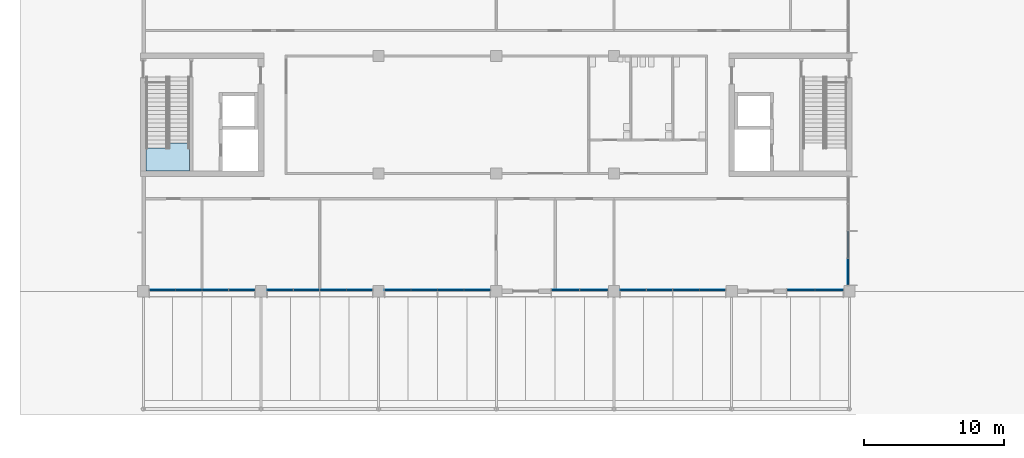
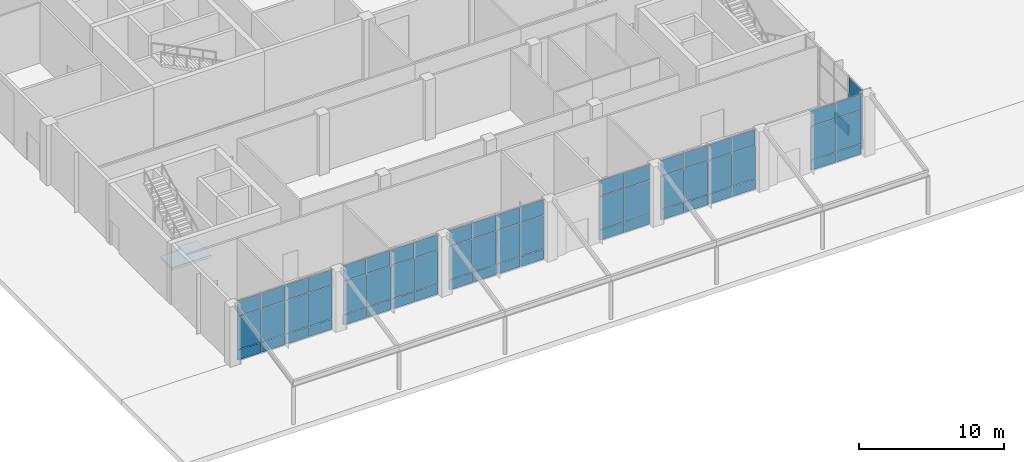
# One storey, part 25 of 76: 64 plates, 1 slab, 8 elements without a shape of their own.
"""IFC4 building model written with IfcOpenShell, lengths in metres."""

import ifcopenshell
import ifcopenshell.guid

model = None  # the IFC model being written
_history = None  # IfcOwnerHistory: only IFC2X3 demands one
_inside = {}  # id of a spatial element -> (the spatial element, [elements in it])
_under = {}  # id of a project, library or spatial element -> (it, [spatial elements below it])
_declared = {}  # id of a project -> (the project, [libraries it declares])
_typed = {}  # id of a type object -> (the type object, [elements of that type])
_made_of = {}  # id of a material, layer set ... -> (it, [elements and type objects made of it])


def new_model(schema):
    """Start an empty IFC model of exactly this schema.

    Asked for "IFC4X3", IfcOpenShell would pick the latest addendum, in which some entities
    have other attributes; the version numbers below select the first issue.
    IFC2X3 requires an IfcOwnerHistory on every rooted entity: one is made here for all.
    """
    global model, _history
    if schema == "IFC4X3":
        model = ifcopenshell.file(schema_version=(4, 3, 0, 0))
    else:
        model = ifcopenshell.file(schema=schema)
    _inside.clear()
    _under.clear()
    _declared.clear()
    _typed.clear()
    _made_of.clear()
    _history = None
    if model.schema == "IFC2X3":
        org = make("IfcOrganization", Name="unknown")
        user = make(
            "IfcPersonAndOrganization",
            ThePerson=make("IfcPerson", FamilyName="unknown"),
            TheOrganization=org,
        )
        app = make(
            "IfcApplication",
            ApplicationDeveloper=org,
            Version="unknown",
            ApplicationFullName="unknown",
            ApplicationIdentifier="unknown",
        )
        _history = make(
            "IfcOwnerHistory",
            OwningUser=user,
            OwningApplication=app,
            ChangeAction="ADDED",
            CreationDate=0,
        )
    return model


def make(cls, **values):
    """One entity of the class cls with the attributes given. An attribute that is None is left unset."""
    return model.create_entity(
        cls, **{name: value for name, value in values.items() if value is not None}
    )


def rooted(cls, **values):
    """An entity with a GlobalId (a new one), such as an element, a storey or a relation."""
    return make(cls, GlobalId=ifcopenshell.guid.new(), OwnerHistory=_history, **values)


def si_unit(unit_type, name, prefix=None):
    """IfcSIUnit, for example si_unit("LENGTHUNIT", "METRE", prefix="MILLI")."""
    return make("IfcSIUnit", UnitType=unit_type, Prefix=prefix, Name=name)


def assignment(units):
    """IfcUnitAssignment: the units of a project."""
    return None if units is None else make("IfcUnitAssignment", Units=units)


def point(xyz):
    """IfcCartesianPoint."""
    return None if xyz is None else make("IfcCartesianPoint", Coordinates=xyz)


def direction(xyz):
    """IfcDirection."""
    return None if xyz is None else make("IfcDirection", DirectionRatios=xyz)


def frame(location, z_axis=None, x_axis=None):
    """IfcAxis2Placement3D, a coordinate frame: its origin and axes. An axis left out is left unset."""
    return make(
        "IfcAxis2Placement3D",
        Location=point(location),
        Axis=direction(z_axis),
        RefDirection=direction(x_axis),
    )


def frame_2d(location, x_axis=None):
    """IfcAxis2Placement2D, a coordinate frame in the plane: its origin and x axis."""
    return make(
        "IfcAxis2Placement2D", Location=point(location), RefDirection=direction(x_axis)
    )


def origin():
    """The frame at (0, 0, 0) with its axes left unset."""
    return frame((0.0, 0.0, 0.0))


def origin_2d():
    """The frame at (0, 0) in the plane with its x axis left unset."""
    return frame_2d((0.0, 0.0))


def place(relative_to, where):
    """IfcLocalPlacement: puts the frame where relative to a parent placement (None: the world)."""
    return make(
        "IfcLocalPlacement", PlacementRelTo=relative_to, RelativePlacement=where
    )


def context(
    kind, dimensions, precision=None, world=None, true_north=None, identifier=None
):
    """IfcGeometricRepresentationContext, for example the 3D "Model" context."""
    return make(
        "IfcGeometricRepresentationContext",
        ContextIdentifier=identifier,
        ContextType=kind,
        CoordinateSpaceDimension=dimensions,
        Precision=precision,
        WorldCoordinateSystem=world,
        TrueNorth=true_north,
    )


def subcontext(parent, identifier, kind, view, scale=None):
    """IfcGeometricRepresentationSubContext, for example "Body" below "Model"."""
    return make(
        "IfcGeometricRepresentationSubContext",
        ContextIdentifier=identifier,
        ContextType=kind,
        ParentContext=parent,
        TargetScale=scale,
        TargetView=view,
    )


def project(units=None, contexts=None):
    """IfcProject with its units and contexts."""
    return rooted(
        "IfcProject",
        Name="project",
        RepresentationContexts=contexts,
        UnitsInContext=assignment(units),
    )


def spatial(cls, under=None, at=None, **own):
    """A site, building, storey or space (cls), placed at a placement, below another one or the project."""
    s = rooted(cls, ObjectPlacement=at, **own)
    if under is not None:
        _under.setdefault(under.id(), (under, []))[1].append(s)
    return s


def polyline(points):
    """IfcPolyline through the points."""
    return make("IfcPolyline", Points=[point(p) for p in points])


def profile(cls, at=None, kind="AREA", **sizes):
    """A parametric profile (cls). Its sizes go by their IFC names, for example OverallWidth=200.0."""
    return make(cls, ProfileType=kind, Position=at, **sizes)


def rectangle(**sizes):
    """IfcRectangleProfileDef."""
    return profile("IfcRectangleProfileDef", **sizes)


def outline(outer, holes=None, kind="AREA"):
    """IfcArbitraryClosedProfileDef: a profile drawn as a closed curve; with holes, ...WithVoids."""
    if holes is None:
        return make("IfcArbitraryClosedProfileDef", ProfileType=kind, OuterCurve=outer)
    return make(
        "IfcArbitraryProfileDefWithVoids",
        ProfileType=kind,
        OuterCurve=outer,
        InnerCurves=holes,
    )


def extrude(swept, where, along, depth):
    """IfcExtrudedAreaSolid: the profile swept, set in the frame where, extruded along a direction by depth."""
    return make(
        "IfcExtrudedAreaSolid",
        SweptArea=swept,
        Position=where,
        ExtrudedDirection=direction(along),
        Depth=depth,
    )


def shape(context_of_items, identifier, shape_type, items):
    """IfcShapeRepresentation: the items that make up one representation, for example the "Body"."""
    return make(
        "IfcShapeRepresentation",
        ContextOfItems=context_of_items,
        RepresentationIdentifier=identifier,
        RepresentationType=shape_type,
        Items=items,
    )


def material(Name=None, Category=None):
    """IfcMaterial."""
    return make("IfcMaterial", Name=Name, Category=Category)


def layer(
    of_material, thickness, ventilated=None, Name=None, Category=None, Priority=None
):
    """IfcMaterialLayer: one layer of a wall or slab, of a material (None: an air gap)."""
    return make(
        "IfcMaterialLayer",
        Material=of_material,
        LayerThickness=thickness,
        IsVentilated=ventilated,
        Name=Name,
        Category=Category,
        Priority=Priority,
    )


def layer_set(layers, Name=None):
    """IfcMaterialLayerSet."""
    return make("IfcMaterialLayerSet", MaterialLayers=layers, LayerSetName=Name)


def made_of(thing, what):
    """Note that an element or type object is made of a material, layer set ...; save() writes the relation."""
    if what is not None:
        _made_of.setdefault(what.id(), (what, []))[1].append(thing)
    return thing


def type_object(cls, material=None, **own):
    """A type object (cls), such as IfcWallType, which elements share."""
    return made_of(rooted(cls, **own), material)


def element(
    cls,
    number,
    at=None,
    inside=None,
    cuts=None,
    type_object=None,
    material=None,
    context=None,
    identifier="Body",
    shape_type=None,
    held_by="IfcProductDefinitionShape",
    body=None,
    shapes=None,
    **own,
):
    """One element of the class cls, such as IfcWall. Its Tag is "e" and its number.

    at: its placement. inside: the storey or other place that contains it. cuts: it is an
    opening in that element (IfcRelVoidsElement). A single representation is given by context,
    identifier, shape_type and body (its items); several are given by shapes. held_by: the class
    of the entity that holds the representations. save() writes the other relations.
    """
    e = rooted(cls, Tag="e%d" % number, ObjectPlacement=at, **own)
    if body is not None:
        shapes = [shape(context, identifier, shape_type, body)]
    if shapes is not None:
        e.Representation = make(held_by, Representations=shapes)
    if inside is not None:
        _inside.setdefault(inside.id(), (inside, []))[1].append(e)
    if cuts is not None:
        rooted(
            "IfcRelVoidsElement", RelatingBuildingElement=cuts, RelatedOpeningElement=e
        )
    if type_object is not None:
        _typed.setdefault(type_object.id(), (type_object, []))[1].append(e)
    return made_of(e, material)


def aggregate(whole, parts):
    """IfcRelAggregates: a whole, such as a stair, and the parts it consists of."""
    return rooted("IfcRelAggregates", RelatingObject=whole, RelatedObjects=parts)


def save(model, path):
    """Write the relations noted so far, then the file.

    IfcRelAggregates (storeys below a building ...), IfcRelContainedInSpatialStructure (elements
    in a storey), IfcRelDefinesByType, IfcRelAssociatesMaterial and IfcRelDeclares: one each for
    every whole, place, type object, material and project.
    """
    for whole, parts in _under.values():
        aggregate(whole, parts)
    for where, things in _inside.values():
        rooted(
            "IfcRelContainedInSpatialStructure",
            RelatedElements=things,
            RelatingStructure=where,
        )
    for kind, things in _typed.values():
        rooted("IfcRelDefinesByType", RelatedObjects=things, RelatingType=kind)
    for what, things in _made_of.values():
        rooted("IfcRelAssociatesMaterial", RelatedObjects=things, RelatingMaterial=what)
    for by, libraries in _declared.values():
        rooted("IfcRelDeclares", RelatingContext=by, RelatedDefinitions=libraries)
    model.write(path)


model = new_model("IFC4")

# Units and contexts
model_context = context("Model", 3, precision=1e-05, world=origin(), true_north=direction((0.0, 1.0)))
body_context = subcontext(model_context, "Body", "Model", "MODEL_VIEW")
ifc_project = project(units=[si_unit("LENGTHUNIT", "METRE"), si_unit("AREAUNIT", "SQUARE_METRE"), si_unit("VOLUMEUNIT", "CUBIC_METRE"), si_unit("PLANEANGLEUNIT", "RADIAN"), si_unit("MASSUNIT", "GRAM", prefix="KILO")], contexts=[model_context])

# Site, building, storey
site_placement = place(None, origin())
site = spatial("IfcSite", under=ifc_project, at=site_placement, CompositionType="ELEMENT")
building_placement = place(site_placement, origin())
building = spatial("IfcBuilding", under=site, at=building_placement, Name="Hlaing Beacon Police Headquarters", CompositionType="ELEMENT")
storey_placement = place(building_placement, origin())
storey = spatial("IfcBuildingStorey", under=building, at=storey_placement, Name="L00", CompositionType="ELEMENT", Elevation=0.0)

# Curtain wall, plates
ifc_material_1 = material(Name="Aluminium frame with solar control glazing", Category="aluminium")
curtain_wall_type_1 = type_object("IfcCurtainWallType", Name="Shopfront glazing 7.80 x 5.05", PredefinedType="NOTDEFINED", material=ifc_material_1)
curtain_wall_1_placement = place(storey_placement, origin())
curtain_wall_1 = element("IfcCurtainWall", 1, at=curtain_wall_1_placement, inside=storey, type_object=curtain_wall_type_1, Name="ENV-CW-L00-E001", PredefinedType="NOTDEFINED")
ifc_material_2 = material(Name="Ballistic-rated insulated aluminium spandrel", Category="aluminium")
ifc_layer_1 = layer(ifc_material_2, 0.1201171875)
ifc_layer_set_1 = layer_set([ifc_layer_1], Name="Ballistic-rated insulated aluminium spandrel")
plate_type_1 = type_object("IfcPlateType", Name="Ballistic-rated spandrel panel 120", PredefinedType="CURTAIN_PANEL", material=ifc_layer_set_1)
plate_1_placement = place(storey_placement, frame((58.7099609375, 9.78759765625, 0.0498046875), z_axis=(0.0, 0.0, 1.0), x_axis=(0.0, 1.0, 0.0)))
plate_1 = element("IfcPlate", 2, at=plate_1_placement, type_object=plate_type_1, Name="CW-L00-E001 panel 1.1", PredefinedType="CURTAIN_PANEL", context=body_context, shape_type="SweptSolid", body=[
    extrude(rectangle(XDim=1.875, YDim=0.1201171875, at=origin_2d()), origin(), (0.0, 0.0, 1.0), 0.824951171875),
])
plate_2_placement = place(storey_placement, frame((58.7099609375, 11.72509765625, 0.0498046875), z_axis=(0.0, 0.0, 1.0), x_axis=(0.0, 1.0, 0.0)))
plate_2 = element("IfcPlate", 3, at=plate_2_placement, type_object=plate_type_1, Name="CW-L00-E001 panel 2.1", PredefinedType="CURTAIN_PANEL", context=body_context, shape_type="SweptSolid", body=[
    extrude(rectangle(XDim=1.89990234375, YDim=0.1201171875, at=origin_2d()), origin(), (0.0, 0.0, 1.0), 0.824951171875),
])

ifc_material_3 = material(Name="Aluminium frame with solar control glazing", Category="aluminium")
curtain_wall_type_2 = type_object("IfcCurtainWallType", Name="Shopfront glazing 7.60 x 5.05", PredefinedType="NOTDEFINED", material=ifc_material_3)
curtain_wall_2_placement = place(storey_placement, origin())
curtain_wall_2 = element("IfcCurtainWall", 4, at=curtain_wall_2_placement, inside=storey, type_object=curtain_wall_type_2, Name="ENV-CW-L00-S003", PredefinedType="NOTDEFINED")
plate_3_placement = place(storey_placement, frame((9.762451171875, 8.489990234375, 0.0498046875), z_axis=(0.0, 0.0, 1.0), x_axis=(1.0, 0.0, 0.0)))
plate_3 = element("IfcPlate", 5, at=plate_3_placement, type_object=plate_type_1, Name="CW-L00-S003 panel 1.1", PredefinedType="CURTAIN_PANEL", context=body_context, shape_type="SweptSolid", body=[
    extrude(rectangle(XDim=1.824951171875, YDim=0.1201171875, at=origin_2d()), origin(), (0.0, 0.0, 1.0), 0.824951171875),
])
plate_4_placement = place(storey_placement, frame((11.64990234375, 8.489990234375, 0.0498046875), z_axis=(0.0, 0.0, 1.0), x_axis=(1.0, 0.0, 0.0)))
plate_4 = element("IfcPlate", 6, at=plate_4_placement, type_object=plate_type_1, Name="CW-L00-S003 panel 2.1", PredefinedType="CURTAIN_PANEL", context=body_context, shape_type="SweptSolid", body=[
    extrude(rectangle(XDim=1.85009765625, YDim=0.1201171875, at=origin_2d()), origin(), (0.0, 0.0, 1.0), 0.824951171875),
])
plate_5_placement = place(storey_placement, frame((13.550048828125, 8.489990234375, 0.0498046875), z_axis=(0.0, 0.0, 1.0), x_axis=(1.0, 0.0, 0.0)))
plate_5 = element("IfcPlate", 7, at=plate_5_placement, type_object=plate_type_1, Name="CW-L00-S003 panel 3.1", PredefinedType="CURTAIN_PANEL", context=body_context, shape_type="SweptSolid", body=[
    extrude(rectangle(XDim=1.85009765625, YDim=0.1201171875, at=origin_2d()), origin(), (0.0, 0.0, 1.0), 0.824951171875),
])
plate_6_placement = place(storey_placement, frame((15.4375, 8.489990234375, 0.0498046875), z_axis=(0.0, 0.0, 1.0), x_axis=(1.0, 0.0, 0.0)))
plate_6 = element("IfcPlate", 8, at=plate_6_placement, type_object=plate_type_1, Name="CW-L00-S003 panel 4.1", PredefinedType="CURTAIN_PANEL", context=body_context, shape_type="SweptSolid", body=[
    extrude(rectangle(XDim=1.824951171875, YDim=0.1201171875, at=origin_2d()), origin(), (0.0, 0.0, 1.0), 0.824951171875),
])

curtain_wall_3_placement = place(storey_placement, origin())
curtain_wall_3 = element("IfcCurtainWall", 9, at=curtain_wall_3_placement, inside=storey, type_object=curtain_wall_type_2, Name="ENV-CW-L00-S004", PredefinedType="NOTDEFINED")
plate_7_placement = place(storey_placement, frame((18.16259765625, 8.489990234375, 0.0498046875), z_axis=(0.0, 0.0, 1.0), x_axis=(1.0, 0.0, 0.0)))
plate_7 = element("IfcPlate", 10, at=plate_7_placement, type_object=plate_type_1, Name="CW-L00-S004 panel 1.1", PredefinedType="CURTAIN_PANEL", context=body_context, shape_type="SweptSolid", body=[
    extrude(rectangle(XDim=1.824951171875, YDim=0.1201171875, at=origin_2d()), origin(), (0.0, 0.0, 1.0), 0.824951171875),
])
plate_8_placement = place(storey_placement, frame((20.050048828125, 8.489990234375, 0.0498046875), z_axis=(0.0, 0.0, 1.0), x_axis=(1.0, 0.0, 0.0)))
plate_8 = element("IfcPlate", 11, at=plate_8_placement, type_object=plate_type_1, Name="CW-L00-S004 panel 2.1", PredefinedType="CURTAIN_PANEL", context=body_context, shape_type="SweptSolid", body=[
    extrude(rectangle(XDim=1.85009765625, YDim=0.1201171875, at=origin_2d()), origin(), (0.0, 0.0, 1.0), 0.824951171875),
])
plate_9_placement = place(storey_placement, frame((21.949951171875, 8.489990234375, 0.0498046875), z_axis=(0.0, 0.0, 1.0), x_axis=(1.0, 0.0, 0.0)))
plate_9 = element("IfcPlate", 12, at=plate_9_placement, type_object=plate_type_1, Name="CW-L00-S004 panel 3.1", PredefinedType="CURTAIN_PANEL", context=body_context, shape_type="SweptSolid", body=[
    extrude(rectangle(XDim=1.85009765625, YDim=0.1201171875, at=origin_2d()), origin(), (0.0, 0.0, 1.0), 0.824951171875),
])
plate_10_placement = place(storey_placement, frame((23.83740234375, 8.489990234375, 0.0498046875), z_axis=(0.0, 0.0, 1.0), x_axis=(1.0, 0.0, 0.0)))
plate_10 = element("IfcPlate", 13, at=plate_10_placement, type_object=plate_type_1, Name="CW-L00-S004 panel 4.1", PredefinedType="CURTAIN_PANEL", context=body_context, shape_type="SweptSolid", body=[
    extrude(rectangle(XDim=1.824951171875, YDim=0.1201171875, at=origin_2d()), origin(), (0.0, 0.0, 1.0), 0.824951171875),
])

curtain_wall_4_placement = place(storey_placement, origin())
curtain_wall_4 = element("IfcCurtainWall", 14, at=curtain_wall_4_placement, inside=storey, type_object=curtain_wall_type_2, Name="ENV-CW-L00-S005", PredefinedType="NOTDEFINED")
plate_11_placement = place(storey_placement, frame((26.5625, 8.489990234375, 0.0498046875), z_axis=(0.0, 0.0, 1.0), x_axis=(1.0, 0.0, 0.0)))
plate_11 = element("IfcPlate", 15, at=plate_11_placement, type_object=plate_type_1, Name="CW-L00-S005 panel 1.1", PredefinedType="CURTAIN_PANEL", context=body_context, shape_type="SweptSolid", body=[
    extrude(rectangle(XDim=1.824951171875, YDim=0.1201171875, at=origin_2d()), origin(), (0.0, 0.0, 1.0), 0.824951171875),
])
plate_12_placement = place(storey_placement, frame((28.449951171875, 8.489990234375, 0.0498046875), z_axis=(0.0, 0.0, 1.0), x_axis=(1.0, 0.0, 0.0)))
plate_12 = element("IfcPlate", 16, at=plate_12_placement, type_object=plate_type_1, Name="CW-L00-S005 panel 2.1", PredefinedType="CURTAIN_PANEL", context=body_context, shape_type="SweptSolid", body=[
    extrude(rectangle(XDim=1.85009765625, YDim=0.1201171875, at=origin_2d()), origin(), (0.0, 0.0, 1.0), 0.824951171875),
])
plate_13_placement = place(storey_placement, frame((30.35009765625, 8.489990234375, 0.0498046875), z_axis=(0.0, 0.0, 1.0), x_axis=(1.0, 0.0, 0.0)))
plate_13 = element("IfcPlate", 17, at=plate_13_placement, type_object=plate_type_1, Name="CW-L00-S005 panel 3.1", PredefinedType="CURTAIN_PANEL", context=body_context, shape_type="SweptSolid", body=[
    extrude(rectangle(XDim=1.85009765625, YDim=0.1201171875, at=origin_2d()), origin(), (0.0, 0.0, 1.0), 0.824951171875),
])
plate_14_placement = place(storey_placement, frame((32.237548828125, 8.489990234375, 0.0498046875), z_axis=(0.0, 0.0, 1.0), x_axis=(1.0, 0.0, 0.0)))
plate_14 = element("IfcPlate", 18, at=plate_14_placement, type_object=plate_type_1, Name="CW-L00-S005 panel 4.1", PredefinedType="CURTAIN_PANEL", context=body_context, shape_type="SweptSolid", body=[
    extrude(rectangle(XDim=1.824951171875, YDim=0.1201171875, at=origin_2d()), origin(), (0.0, 0.0, 1.0), 0.824951171875),
])

ifc_material_4 = material(Name="Aluminium frame with solar control glazing", Category="aluminium")
curtain_wall_type_3 = type_object("IfcCurtainWallType", Name="Shopfront glazing 4.10 x 5.05", PredefinedType="NOTDEFINED", material=ifc_material_4)
curtain_wall_5_placement = place(storey_placement, origin())
curtain_wall_5 = element("IfcCurtainWall", 19, at=curtain_wall_5_placement, inside=storey, type_object=curtain_wall_type_3, Name="ENV-CW-L00-S006", PredefinedType="NOTDEFINED")
plate_15_placement = place(storey_placement, frame((38.53759765625, 8.489990234375, 0.0498046875), z_axis=(0.0, 0.0, 1.0), x_axis=(1.0, 0.0, 0.0)))
plate_15 = element("IfcPlate", 20, at=plate_15_placement, type_object=plate_type_1, Name="CW-L00-S006 panel 1.1", PredefinedType="CURTAIN_PANEL", context=body_context, shape_type="SweptSolid", body=[
    extrude(rectangle(XDim=1.97509765625, YDim=0.1201171875, at=origin_2d()), origin(), (0.0, 0.0, 1.0), 0.824951171875),
])
plate_16_placement = place(storey_placement, frame((40.5625, 8.489990234375, 0.0498046875), z_axis=(0.0, 0.0, 1.0), x_axis=(1.0, 0.0, 0.0)))
plate_16 = element("IfcPlate", 21, at=plate_16_placement, type_object=plate_type_1, Name="CW-L00-S006 panel 2.1", PredefinedType="CURTAIN_PANEL", context=body_context, shape_type="SweptSolid", body=[
    extrude(rectangle(XDim=1.97509765625, YDim=0.1201171875, at=origin_2d()), origin(), (0.0, 0.0, 1.0), 0.824951171875),
])

curtain_wall_6_placement = place(storey_placement, origin())
curtain_wall_6 = element("IfcCurtainWall", 22, at=curtain_wall_6_placement, inside=storey, type_object=curtain_wall_type_2, Name="ENV-CW-L00-S007", PredefinedType="NOTDEFINED")
plate_17_placement = place(storey_placement, frame((43.362548828125, 8.489990234375, 0.0498046875), z_axis=(0.0, 0.0, 1.0), x_axis=(1.0, 0.0, 0.0)))
plate_17 = element("IfcPlate", 23, at=plate_17_placement, type_object=plate_type_1, Name="CW-L00-S007 panel 1.1", PredefinedType="CURTAIN_PANEL", context=body_context, shape_type="SweptSolid", body=[
    extrude(rectangle(XDim=1.824951171875, YDim=0.1201171875, at=origin_2d()), origin(), (0.0, 0.0, 1.0), 0.824951171875),
])
plate_18_placement = place(storey_placement, frame((45.25, 8.489990234375, 0.0498046875), z_axis=(0.0, 0.0, 1.0), x_axis=(1.0, 0.0, 0.0)))
plate_18 = element("IfcPlate", 24, at=plate_18_placement, type_object=plate_type_1, Name="CW-L00-S007 panel 2.1", PredefinedType="CURTAIN_PANEL", context=body_context, shape_type="SweptSolid", body=[
    extrude(rectangle(XDim=1.85009765625, YDim=0.1201171875, at=origin_2d()), origin(), (0.0, 0.0, 1.0), 0.824951171875),
])
plate_19_placement = place(storey_placement, frame((47.14990234375, 8.489990234375, 0.0498046875), z_axis=(0.0, 0.0, 1.0), x_axis=(1.0, 0.0, 0.0)))
plate_19 = element("IfcPlate", 25, at=plate_19_placement, type_object=plate_type_1, Name="CW-L00-S007 panel 3.1", PredefinedType="CURTAIN_PANEL", context=body_context, shape_type="SweptSolid", body=[
    extrude(rectangle(XDim=1.85009765625, YDim=0.1201171875, at=origin_2d()), origin(), (0.0, 0.0, 1.0), 0.824951171875),
])
plate_20_placement = place(storey_placement, frame((49.03759765625, 8.489990234375, 0.0498046875), z_axis=(0.0, 0.0, 1.0), x_axis=(1.0, 0.0, 0.0)))
plate_20 = element("IfcPlate", 26, at=plate_20_placement, type_object=plate_type_1, Name="CW-L00-S007 panel 4.1", PredefinedType="CURTAIN_PANEL", context=body_context, shape_type="SweptSolid", body=[
    extrude(rectangle(XDim=1.824951171875, YDim=0.1201171875, at=origin_2d()), origin(), (0.0, 0.0, 1.0), 0.824951171875),
])

curtain_wall_7_placement = place(storey_placement, origin())
curtain_wall_7 = element("IfcCurtainWall", 27, at=curtain_wall_7_placement, inside=storey, type_object=curtain_wall_type_3, Name="ENV-CW-L00-S008", PredefinedType="NOTDEFINED")
plate_21_placement = place(storey_placement, frame((55.33740234375, 8.489990234375, 0.0498046875), z_axis=(0.0, 0.0, 1.0), x_axis=(1.0, 0.0, 0.0)))
plate_21 = element("IfcPlate", 28, at=plate_21_placement, type_object=plate_type_1, Name="CW-L00-S008 panel 1.1", PredefinedType="CURTAIN_PANEL", context=body_context, shape_type="SweptSolid", body=[
    extrude(rectangle(XDim=1.97509765625, YDim=0.1201171875, at=origin_2d()), origin(), (0.0, 0.0, 1.0), 0.824951171875),
])
plate_22_placement = place(storey_placement, frame((57.362548828125, 8.489990234375, 0.0498046875), z_axis=(0.0, 0.0, 1.0), x_axis=(1.0, 0.0, 0.0)))
plate_22 = element("IfcPlate", 29, at=plate_22_placement, type_object=plate_type_1, Name="CW-L00-S008 panel 2.1", PredefinedType="CURTAIN_PANEL", context=body_context, shape_type="SweptSolid", body=[
    extrude(rectangle(XDim=1.97509765625, YDim=0.1201171875, at=origin_2d()), origin(), (0.0, 0.0, 1.0), 0.824951171875),
])

# Plate
ifc_material_5 = material(Name="Bullet-resistant laminated glass", Category="glass")
ifc_layer_2 = layer(ifc_material_5, 0.090087890625)
ifc_layer_set_2 = layer_set([ifc_layer_2], Name="Bullet-resistant laminated glass")
plate_type_2 = type_object("IfcPlateType", Name="Bullet-resistant laminated glazing panel 90", PredefinedType="CURTAIN_PANEL", material=ifc_layer_set_2)
plate_23_placement = place(storey_placement, frame((58.7099609375, 9.78759765625, 0.925048828125), z_axis=(0.0, 0.0, 1.0), x_axis=(0.0, 1.0, 0.0)))
plate_23 = element("IfcPlate", 30, at=plate_23_placement, type_object=plate_type_2, Name="CW-L00-E001 panel 1.2", PredefinedType="CURTAIN_PANEL", context=body_context, shape_type="SweptSolid", body=[
    extrude(rectangle(XDim=1.875, YDim=0.090087890625, at=origin_2d()), origin(), (0.0, 0.0, 1.0), 2.75),
])

plate_24_placement = place(storey_placement, frame((9.762451171875, 8.489990234375, 0.925048828125), z_axis=(0.0, 0.0, 1.0), x_axis=(1.0, 0.0, 0.0)))
plate_24 = element("IfcPlate", 31, at=plate_24_placement, type_object=plate_type_2, Name="CW-L00-S003 panel 1.2", PredefinedType="CURTAIN_PANEL", context=body_context, shape_type="SweptSolid", body=[
    extrude(rectangle(XDim=1.824951171875, YDim=0.090087890625, at=origin_2d()), origin(), (0.0, 0.0, 1.0), 2.75),
])

plate_25_placement = place(storey_placement, frame((11.64990234375, 8.489990234375, 0.925048828125), z_axis=(0.0, 0.0, 1.0), x_axis=(1.0, 0.0, 0.0)))
plate_25 = element("IfcPlate", 32, at=plate_25_placement, type_object=plate_type_2, Name="CW-L00-S003 panel 2.2", PredefinedType="CURTAIN_PANEL", context=body_context, shape_type="SweptSolid", body=[
    extrude(rectangle(XDim=1.85009765625, YDim=0.090087890625, at=origin_2d()), origin(), (0.0, 0.0, 1.0), 2.75),
])

plate_26_placement = place(storey_placement, frame((13.550048828125, 8.489990234375, 0.925048828125), z_axis=(0.0, 0.0, 1.0), x_axis=(1.0, 0.0, 0.0)))
plate_26 = element("IfcPlate", 33, at=plate_26_placement, type_object=plate_type_2, Name="CW-L00-S003 panel 3.2", PredefinedType="CURTAIN_PANEL", context=body_context, shape_type="SweptSolid", body=[
    extrude(rectangle(XDim=1.85009765625, YDim=0.090087890625, at=origin_2d()), origin(), (0.0, 0.0, 1.0), 2.75),
])

plate_27_placement = place(storey_placement, frame((15.4375, 8.489990234375, 0.925048828125), z_axis=(0.0, 0.0, 1.0), x_axis=(1.0, 0.0, 0.0)))
plate_27 = element("IfcPlate", 34, at=plate_27_placement, type_object=plate_type_2, Name="CW-L00-S003 panel 4.2", PredefinedType="CURTAIN_PANEL", context=body_context, shape_type="SweptSolid", body=[
    extrude(rectangle(XDim=1.824951171875, YDim=0.090087890625, at=origin_2d()), origin(), (0.0, 0.0, 1.0), 2.75),
])

plate_28_placement = place(storey_placement, frame((18.16259765625, 8.489990234375, 0.925048828125), z_axis=(0.0, 0.0, 1.0), x_axis=(1.0, 0.0, 0.0)))
plate_28 = element("IfcPlate", 35, at=plate_28_placement, type_object=plate_type_2, Name="CW-L00-S004 panel 1.2", PredefinedType="CURTAIN_PANEL", context=body_context, shape_type="SweptSolid", body=[
    extrude(rectangle(XDim=1.824951171875, YDim=0.090087890625, at=origin_2d()), origin(), (0.0, 0.0, 1.0), 2.75),
])

plate_29_placement = place(storey_placement, frame((20.050048828125, 8.489990234375, 0.925048828125), z_axis=(0.0, 0.0, 1.0), x_axis=(1.0, 0.0, 0.0)))
plate_29 = element("IfcPlate", 36, at=plate_29_placement, type_object=plate_type_2, Name="CW-L00-S004 panel 2.2", PredefinedType="CURTAIN_PANEL", context=body_context, shape_type="SweptSolid", body=[
    extrude(rectangle(XDim=1.85009765625, YDim=0.090087890625, at=origin_2d()), origin(), (0.0, 0.0, 1.0), 2.75),
])

plate_30_placement = place(storey_placement, frame((21.949951171875, 8.489990234375, 0.925048828125), z_axis=(0.0, 0.0, 1.0), x_axis=(1.0, 0.0, 0.0)))
plate_30 = element("IfcPlate", 37, at=plate_30_placement, type_object=plate_type_2, Name="CW-L00-S004 panel 3.2", PredefinedType="CURTAIN_PANEL", context=body_context, shape_type="SweptSolid", body=[
    extrude(rectangle(XDim=1.85009765625, YDim=0.090087890625, at=origin_2d()), origin(), (0.0, 0.0, 1.0), 2.75),
])

plate_31_placement = place(storey_placement, frame((23.83740234375, 8.489990234375, 0.925048828125), z_axis=(0.0, 0.0, 1.0), x_axis=(1.0, 0.0, 0.0)))
plate_31 = element("IfcPlate", 38, at=plate_31_placement, type_object=plate_type_2, Name="CW-L00-S004 panel 4.2", PredefinedType="CURTAIN_PANEL", context=body_context, shape_type="SweptSolid", body=[
    extrude(rectangle(XDim=1.824951171875, YDim=0.090087890625, at=origin_2d()), origin(), (0.0, 0.0, 1.0), 2.75),
])

plate_32_placement = place(storey_placement, frame((26.5625, 8.489990234375, 0.925048828125), z_axis=(0.0, 0.0, 1.0), x_axis=(1.0, 0.0, 0.0)))
plate_32 = element("IfcPlate", 39, at=plate_32_placement, type_object=plate_type_2, Name="CW-L00-S005 panel 1.2", PredefinedType="CURTAIN_PANEL", context=body_context, shape_type="SweptSolid", body=[
    extrude(rectangle(XDim=1.824951171875, YDim=0.090087890625, at=origin_2d()), origin(), (0.0, 0.0, 1.0), 2.75),
])

plate_33_placement = place(storey_placement, frame((28.449951171875, 8.489990234375, 0.925048828125), z_axis=(0.0, 0.0, 1.0), x_axis=(1.0, 0.0, 0.0)))
plate_33 = element("IfcPlate", 40, at=plate_33_placement, type_object=plate_type_2, Name="CW-L00-S005 panel 2.2", PredefinedType="CURTAIN_PANEL", context=body_context, shape_type="SweptSolid", body=[
    extrude(rectangle(XDim=1.85009765625, YDim=0.090087890625, at=origin_2d()), origin(), (0.0, 0.0, 1.0), 2.75),
])

plate_34_placement = place(storey_placement, frame((30.35009765625, 8.489990234375, 0.925048828125), z_axis=(0.0, 0.0, 1.0), x_axis=(1.0, 0.0, 0.0)))
plate_34 = element("IfcPlate", 41, at=plate_34_placement, type_object=plate_type_2, Name="CW-L00-S005 panel 3.2", PredefinedType="CURTAIN_PANEL", context=body_context, shape_type="SweptSolid", body=[
    extrude(rectangle(XDim=1.85009765625, YDim=0.090087890625, at=origin_2d()), origin(), (0.0, 0.0, 1.0), 2.75),
])

plate_35_placement = place(storey_placement, frame((32.237548828125, 8.489990234375, 0.925048828125), z_axis=(0.0, 0.0, 1.0), x_axis=(1.0, 0.0, 0.0)))
plate_35 = element("IfcPlate", 42, at=plate_35_placement, type_object=plate_type_2, Name="CW-L00-S005 panel 4.2", PredefinedType="CURTAIN_PANEL", context=body_context, shape_type="SweptSolid", body=[
    extrude(rectangle(XDim=1.824951171875, YDim=0.090087890625, at=origin_2d()), origin(), (0.0, 0.0, 1.0), 2.75),
])

plate_36_placement = place(storey_placement, frame((38.53759765625, 8.489990234375, 0.925048828125), z_axis=(0.0, 0.0, 1.0), x_axis=(1.0, 0.0, 0.0)))
plate_36 = element("IfcPlate", 43, at=plate_36_placement, type_object=plate_type_2, Name="CW-L00-S006 panel 1.2", PredefinedType="CURTAIN_PANEL", context=body_context, shape_type="SweptSolid", body=[
    extrude(rectangle(XDim=1.97509765625, YDim=0.090087890625, at=origin_2d()), origin(), (0.0, 0.0, 1.0), 2.75),
])

plate_37_placement = place(storey_placement, frame((40.5625, 8.489990234375, 0.925048828125), z_axis=(0.0, 0.0, 1.0), x_axis=(1.0, 0.0, 0.0)))
plate_37 = element("IfcPlate", 44, at=plate_37_placement, type_object=plate_type_2, Name="CW-L00-S006 panel 2.2", PredefinedType="CURTAIN_PANEL", context=body_context, shape_type="SweptSolid", body=[
    extrude(rectangle(XDim=1.97509765625, YDim=0.090087890625, at=origin_2d()), origin(), (0.0, 0.0, 1.0), 2.75),
])

plate_38_placement = place(storey_placement, frame((43.362548828125, 8.489990234375, 0.925048828125), z_axis=(0.0, 0.0, 1.0), x_axis=(1.0, 0.0, 0.0)))
plate_38 = element("IfcPlate", 45, at=plate_38_placement, type_object=plate_type_2, Name="CW-L00-S007 panel 1.2", PredefinedType="CURTAIN_PANEL", context=body_context, shape_type="SweptSolid", body=[
    extrude(rectangle(XDim=1.824951171875, YDim=0.090087890625, at=origin_2d()), origin(), (0.0, 0.0, 1.0), 2.75),
])

plate_39_placement = place(storey_placement, frame((45.25, 8.489990234375, 0.925048828125), z_axis=(0.0, 0.0, 1.0), x_axis=(1.0, 0.0, 0.0)))
plate_39 = element("IfcPlate", 46, at=plate_39_placement, type_object=plate_type_2, Name="CW-L00-S007 panel 2.2", PredefinedType="CURTAIN_PANEL", context=body_context, shape_type="SweptSolid", body=[
    extrude(rectangle(XDim=1.85009765625, YDim=0.090087890625, at=origin_2d()), origin(), (0.0, 0.0, 1.0), 2.75),
])

plate_40_placement = place(storey_placement, frame((47.14990234375, 8.489990234375, 0.925048828125), z_axis=(0.0, 0.0, 1.0), x_axis=(1.0, 0.0, 0.0)))
plate_40 = element("IfcPlate", 47, at=plate_40_placement, type_object=plate_type_2, Name="CW-L00-S007 panel 3.2", PredefinedType="CURTAIN_PANEL", context=body_context, shape_type="SweptSolid", body=[
    extrude(rectangle(XDim=1.85009765625, YDim=0.090087890625, at=origin_2d()), origin(), (0.0, 0.0, 1.0), 2.75),
])

plate_41_placement = place(storey_placement, frame((49.03759765625, 8.489990234375, 0.925048828125), z_axis=(0.0, 0.0, 1.0), x_axis=(1.0, 0.0, 0.0)))
plate_41 = element("IfcPlate", 48, at=plate_41_placement, type_object=plate_type_2, Name="CW-L00-S007 panel 4.2", PredefinedType="CURTAIN_PANEL", context=body_context, shape_type="SweptSolid", body=[
    extrude(rectangle(XDim=1.824951171875, YDim=0.090087890625, at=origin_2d()), origin(), (0.0, 0.0, 1.0), 2.75),
])

plate_42_placement = place(storey_placement, frame((55.33740234375, 8.489990234375, 0.925048828125), z_axis=(0.0, 0.0, 1.0), x_axis=(1.0, 0.0, 0.0)))
plate_42 = element("IfcPlate", 49, at=plate_42_placement, type_object=plate_type_2, Name="CW-L00-S008 panel 1.2", PredefinedType="CURTAIN_PANEL", context=body_context, shape_type="SweptSolid", body=[
    extrude(rectangle(XDim=1.97509765625, YDim=0.090087890625, at=origin_2d()), origin(), (0.0, 0.0, 1.0), 2.75),
])

plate_43_placement = place(storey_placement, frame((57.362548828125, 8.489990234375, 0.925048828125), z_axis=(0.0, 0.0, 1.0), x_axis=(1.0, 0.0, 0.0)))
plate_43 = element("IfcPlate", 50, at=plate_43_placement, type_object=plate_type_2, Name="CW-L00-S008 panel 2.2", PredefinedType="CURTAIN_PANEL", context=body_context, shape_type="SweptSolid", body=[
    extrude(rectangle(XDim=1.97509765625, YDim=0.090087890625, at=origin_2d()), origin(), (0.0, 0.0, 1.0), 2.75),
])

ifc_material_6 = material(Name="Solar control glazing", Category="glass")
ifc_layer_3 = layer(ifc_material_6, 0.031982421875)
ifc_layer_set_3 = layer_set([ifc_layer_3], Name="Solar control glazing")
plate_type_3 = type_object("IfcPlateType", Name="Clear glazing panel 32", PredefinedType="CURTAIN_PANEL", material=ifc_layer_set_3)
plate_44_placement = place(storey_placement, frame((58.7099609375, 9.78759765625, 3.72509765625), z_axis=(0.0, 0.0, 1.0), x_axis=(0.0, 1.0, 0.0)))
plate_44 = element("IfcPlate", 51, at=plate_44_placement, type_object=plate_type_3, Name="CW-L00-E001 panel 1.3", PredefinedType="CURTAIN_PANEL", context=body_context, shape_type="SweptSolid", body=[
    extrude(rectangle(XDim=1.875, YDim=0.031982421875, at=origin_2d()), origin(), (0.0, 0.0, 1.0), 1.27490234375),
])

aggregate(curtain_wall_1, [plate_1, plate_23, plate_44, plate_2])

plate_45_placement = place(storey_placement, frame((9.762451171875, 8.489990234375, 3.72509765625), z_axis=(0.0, 0.0, 1.0), x_axis=(1.0, 0.0, 0.0)))
plate_45 = element("IfcPlate", 52, at=plate_45_placement, type_object=plate_type_3, Name="CW-L00-S003 panel 1.3", PredefinedType="CURTAIN_PANEL", context=body_context, shape_type="SweptSolid", body=[
    extrude(rectangle(XDim=1.824951171875, YDim=0.031982421875, at=origin_2d()), origin(), (0.0, 0.0, 1.0), 1.27490234375),
])

plate_46_placement = place(storey_placement, frame((11.64990234375, 8.489990234375, 3.72509765625), z_axis=(0.0, 0.0, 1.0), x_axis=(1.0, 0.0, 0.0)))
plate_46 = element("IfcPlate", 53, at=plate_46_placement, type_object=plate_type_3, Name="CW-L00-S003 panel 2.3", PredefinedType="CURTAIN_PANEL", context=body_context, shape_type="SweptSolid", body=[
    extrude(rectangle(XDim=1.85009765625, YDim=0.031982421875, at=origin_2d()), origin(), (0.0, 0.0, 1.0), 1.27490234375),
])

plate_47_placement = place(storey_placement, frame((13.550048828125, 8.489990234375, 3.72509765625), z_axis=(0.0, 0.0, 1.0), x_axis=(1.0, 0.0, 0.0)))
plate_47 = element("IfcPlate", 54, at=plate_47_placement, type_object=plate_type_3, Name="CW-L00-S003 panel 3.3", PredefinedType="CURTAIN_PANEL", context=body_context, shape_type="SweptSolid", body=[
    extrude(rectangle(XDim=1.85009765625, YDim=0.031982421875, at=origin_2d()), origin(), (0.0, 0.0, 1.0), 1.27490234375),
])

plate_48_placement = place(storey_placement, frame((15.4375, 8.489990234375, 3.72509765625), z_axis=(0.0, 0.0, 1.0), x_axis=(1.0, 0.0, 0.0)))
plate_48 = element("IfcPlate", 55, at=plate_48_placement, type_object=plate_type_3, Name="CW-L00-S003 panel 4.3", PredefinedType="CURTAIN_PANEL", context=body_context, shape_type="SweptSolid", body=[
    extrude(rectangle(XDim=1.824951171875, YDim=0.031982421875, at=origin_2d()), origin(), (0.0, 0.0, 1.0), 1.27490234375),
])

aggregate(curtain_wall_2, [plate_3, plate_24, plate_45, plate_4, plate_25, plate_46, plate_5, plate_26, plate_47, plate_6, plate_27, plate_48])

plate_49_placement = place(storey_placement, frame((18.16259765625, 8.489990234375, 3.72509765625), z_axis=(0.0, 0.0, 1.0), x_axis=(1.0, 0.0, 0.0)))
plate_49 = element("IfcPlate", 56, at=plate_49_placement, type_object=plate_type_3, Name="CW-L00-S004 panel 1.3", PredefinedType="CURTAIN_PANEL", context=body_context, shape_type="SweptSolid", body=[
    extrude(rectangle(XDim=1.824951171875, YDim=0.031982421875, at=origin_2d()), origin(), (0.0, 0.0, 1.0), 1.27490234375),
])

plate_50_placement = place(storey_placement, frame((20.050048828125, 8.489990234375, 3.72509765625), z_axis=(0.0, 0.0, 1.0), x_axis=(1.0, 0.0, 0.0)))
plate_50 = element("IfcPlate", 57, at=plate_50_placement, type_object=plate_type_3, Name="CW-L00-S004 panel 2.3", PredefinedType="CURTAIN_PANEL", context=body_context, shape_type="SweptSolid", body=[
    extrude(rectangle(XDim=1.85009765625, YDim=0.031982421875, at=origin_2d()), origin(), (0.0, 0.0, 1.0), 1.27490234375),
])

plate_51_placement = place(storey_placement, frame((21.949951171875, 8.489990234375, 3.72509765625), z_axis=(0.0, 0.0, 1.0), x_axis=(1.0, 0.0, 0.0)))
plate_51 = element("IfcPlate", 58, at=plate_51_placement, type_object=plate_type_3, Name="CW-L00-S004 panel 3.3", PredefinedType="CURTAIN_PANEL", context=body_context, shape_type="SweptSolid", body=[
    extrude(rectangle(XDim=1.85009765625, YDim=0.031982421875, at=origin_2d()), origin(), (0.0, 0.0, 1.0), 1.27490234375),
])

plate_52_placement = place(storey_placement, frame((23.83740234375, 8.489990234375, 3.72509765625), z_axis=(0.0, 0.0, 1.0), x_axis=(1.0, 0.0, 0.0)))
plate_52 = element("IfcPlate", 59, at=plate_52_placement, type_object=plate_type_3, Name="CW-L00-S004 panel 4.3", PredefinedType="CURTAIN_PANEL", context=body_context, shape_type="SweptSolid", body=[
    extrude(rectangle(XDim=1.824951171875, YDim=0.031982421875, at=origin_2d()), origin(), (0.0, 0.0, 1.0), 1.27490234375),
])

aggregate(curtain_wall_3, [plate_7, plate_28, plate_49, plate_8, plate_29, plate_50, plate_9, plate_30, plate_51, plate_10, plate_31, plate_52])

plate_53_placement = place(storey_placement, frame((26.5625, 8.489990234375, 3.72509765625), z_axis=(0.0, 0.0, 1.0), x_axis=(1.0, 0.0, 0.0)))
plate_53 = element("IfcPlate", 60, at=plate_53_placement, type_object=plate_type_3, Name="CW-L00-S005 panel 1.3", PredefinedType="CURTAIN_PANEL", context=body_context, shape_type="SweptSolid", body=[
    extrude(rectangle(XDim=1.824951171875, YDim=0.031982421875, at=origin_2d()), origin(), (0.0, 0.0, 1.0), 1.27490234375),
])

plate_54_placement = place(storey_placement, frame((28.449951171875, 8.489990234375, 3.72509765625), z_axis=(0.0, 0.0, 1.0), x_axis=(1.0, 0.0, 0.0)))
plate_54 = element("IfcPlate", 61, at=plate_54_placement, type_object=plate_type_3, Name="CW-L00-S005 panel 2.3", PredefinedType="CURTAIN_PANEL", context=body_context, shape_type="SweptSolid", body=[
    extrude(rectangle(XDim=1.85009765625, YDim=0.031982421875, at=origin_2d()), origin(), (0.0, 0.0, 1.0), 1.27490234375),
])

plate_55_placement = place(storey_placement, frame((30.35009765625, 8.489990234375, 3.72509765625), z_axis=(0.0, 0.0, 1.0), x_axis=(1.0, 0.0, 0.0)))
plate_55 = element("IfcPlate", 62, at=plate_55_placement, type_object=plate_type_3, Name="CW-L00-S005 panel 3.3", PredefinedType="CURTAIN_PANEL", context=body_context, shape_type="SweptSolid", body=[
    extrude(rectangle(XDim=1.85009765625, YDim=0.031982421875, at=origin_2d()), origin(), (0.0, 0.0, 1.0), 1.27490234375),
])

plate_56_placement = place(storey_placement, frame((32.237548828125, 8.489990234375, 3.72509765625), z_axis=(0.0, 0.0, 1.0), x_axis=(1.0, 0.0, 0.0)))
plate_56 = element("IfcPlate", 63, at=plate_56_placement, type_object=plate_type_3, Name="CW-L00-S005 panel 4.3", PredefinedType="CURTAIN_PANEL", context=body_context, shape_type="SweptSolid", body=[
    extrude(rectangle(XDim=1.824951171875, YDim=0.031982421875, at=origin_2d()), origin(), (0.0, 0.0, 1.0), 1.27490234375),
])

aggregate(curtain_wall_4, [plate_11, plate_32, plate_53, plate_12, plate_33, plate_54, plate_13, plate_34, plate_55, plate_14, plate_35, plate_56])

plate_57_placement = place(storey_placement, frame((38.53759765625, 8.489990234375, 3.72509765625), z_axis=(0.0, 0.0, 1.0), x_axis=(1.0, 0.0, 0.0)))
plate_57 = element("IfcPlate", 64, at=plate_57_placement, type_object=plate_type_3, Name="CW-L00-S006 panel 1.3", PredefinedType="CURTAIN_PANEL", context=body_context, shape_type="SweptSolid", body=[
    extrude(rectangle(XDim=1.97509765625, YDim=0.031982421875, at=origin_2d()), origin(), (0.0, 0.0, 1.0), 1.27490234375),
])

plate_58_placement = place(storey_placement, frame((40.5625, 8.489990234375, 3.72509765625), z_axis=(0.0, 0.0, 1.0), x_axis=(1.0, 0.0, 0.0)))
plate_58 = element("IfcPlate", 65, at=plate_58_placement, type_object=plate_type_3, Name="CW-L00-S006 panel 2.3", PredefinedType="CURTAIN_PANEL", context=body_context, shape_type="SweptSolid", body=[
    extrude(rectangle(XDim=1.97509765625, YDim=0.031982421875, at=origin_2d()), origin(), (0.0, 0.0, 1.0), 1.27490234375),
])

aggregate(curtain_wall_5, [plate_15, plate_36, plate_57, plate_16, plate_37, plate_58])

plate_59_placement = place(storey_placement, frame((43.362548828125, 8.489990234375, 3.72509765625), z_axis=(0.0, 0.0, 1.0), x_axis=(1.0, 0.0, 0.0)))
plate_59 = element("IfcPlate", 66, at=plate_59_placement, type_object=plate_type_3, Name="CW-L00-S007 panel 1.3", PredefinedType="CURTAIN_PANEL", context=body_context, shape_type="SweptSolid", body=[
    extrude(rectangle(XDim=1.824951171875, YDim=0.031982421875, at=origin_2d()), origin(), (0.0, 0.0, 1.0), 1.27490234375),
])

plate_60_placement = place(storey_placement, frame((45.25, 8.489990234375, 3.72509765625), z_axis=(0.0, 0.0, 1.0), x_axis=(1.0, 0.0, 0.0)))
plate_60 = element("IfcPlate", 67, at=plate_60_placement, type_object=plate_type_3, Name="CW-L00-S007 panel 2.3", PredefinedType="CURTAIN_PANEL", context=body_context, shape_type="SweptSolid", body=[
    extrude(rectangle(XDim=1.85009765625, YDim=0.031982421875, at=origin_2d()), origin(), (0.0, 0.0, 1.0), 1.27490234375),
])

plate_61_placement = place(storey_placement, frame((47.14990234375, 8.489990234375, 3.72509765625), z_axis=(0.0, 0.0, 1.0), x_axis=(1.0, 0.0, 0.0)))
plate_61 = element("IfcPlate", 68, at=plate_61_placement, type_object=plate_type_3, Name="CW-L00-S007 panel 3.3", PredefinedType="CURTAIN_PANEL", context=body_context, shape_type="SweptSolid", body=[
    extrude(rectangle(XDim=1.85009765625, YDim=0.031982421875, at=origin_2d()), origin(), (0.0, 0.0, 1.0), 1.27490234375),
])

plate_62_placement = place(storey_placement, frame((49.03759765625, 8.489990234375, 3.72509765625), z_axis=(0.0, 0.0, 1.0), x_axis=(1.0, 0.0, 0.0)))
plate_62 = element("IfcPlate", 69, at=plate_62_placement, type_object=plate_type_3, Name="CW-L00-S007 panel 4.3", PredefinedType="CURTAIN_PANEL", context=body_context, shape_type="SweptSolid", body=[
    extrude(rectangle(XDim=1.824951171875, YDim=0.031982421875, at=origin_2d()), origin(), (0.0, 0.0, 1.0), 1.27490234375),
])

aggregate(curtain_wall_6, [plate_17, plate_38, plate_59, plate_18, plate_39, plate_60, plate_19, plate_40, plate_61, plate_20, plate_41, plate_62])

plate_63_placement = place(storey_placement, frame((55.33740234375, 8.489990234375, 3.72509765625), z_axis=(0.0, 0.0, 1.0), x_axis=(1.0, 0.0, 0.0)))
plate_63 = element("IfcPlate", 70, at=plate_63_placement, type_object=plate_type_3, Name="CW-L00-S008 panel 1.3", PredefinedType="CURTAIN_PANEL", context=body_context, shape_type="SweptSolid", body=[
    extrude(rectangle(XDim=1.97509765625, YDim=0.031982421875, at=origin_2d()), origin(), (0.0, 0.0, 1.0), 1.27490234375),
])

plate_64_placement = place(storey_placement, frame((57.362548828125, 8.489990234375, 3.72509765625), z_axis=(0.0, 0.0, 1.0), x_axis=(1.0, 0.0, 0.0)))
plate_64 = element("IfcPlate", 71, at=plate_64_placement, type_object=plate_type_3, Name="CW-L00-S008 panel 2.3", PredefinedType="CURTAIN_PANEL", context=body_context, shape_type="SweptSolid", body=[
    extrude(rectangle(XDim=1.97509765625, YDim=0.031982421875, at=origin_2d()), origin(), (0.0, 0.0, 1.0), 1.27490234375),
])

aggregate(curtain_wall_7, [plate_21, plate_42, plate_63, plate_22, plate_43, plate_64])

# Stair, slab
ifc_material_7 = material(Name="Concrete C40/50", Category="concrete")
stair_type = type_object("IfcStairType", Name="Half-turn stair 1500 wide, 5400 rise", PredefinedType="HALF_TURN_STAIR", material=ifc_material_7)
stair_placement = place(storey_placement, origin())
stair = element("IfcStair", 72, at=stair_placement, inside=storey, type_object=stair_type, Name="Stair ST-J", PredefinedType="HALF_TURN_STAIR")
ifc_material_8 = material(Name="Concrete C40/50", Category="concrete")
ifc_layer_4 = layer(ifc_material_8, 0.219970703125)
ifc_layer_set_4 = layer_set([ifc_layer_4], Name="Concrete C40/50")
slab_type = type_object("IfcSlabType", Name="Stair landing 220", PredefinedType="LANDING", material=ifc_layer_set_4)
slab_placement = place(storey_placement, frame((0.0, 0.0, 2.47998046875)))
slab = element("IfcSlab", 73, at=slab_placement, type_object=slab_type, Name="ST-J landing 1", PredefinedType="LANDING", context=body_context, shape_type="SweptSolid", body=[
    extrude(outline(polyline([(8.60009765625, 18.610107421875), (8.60009765625, 17.0), (11.699951171875, 17.0), (11.699951171875, 19.0), (10.199951171875, 19.0), (10.199951171875, 18.610107421875), (8.60009765625, 18.610107421875)])), origin(), (0.0, 0.0, 1.0), 0.219970703125),
])
aggregate(stair, [slab])

save(model, "model.ifc")
